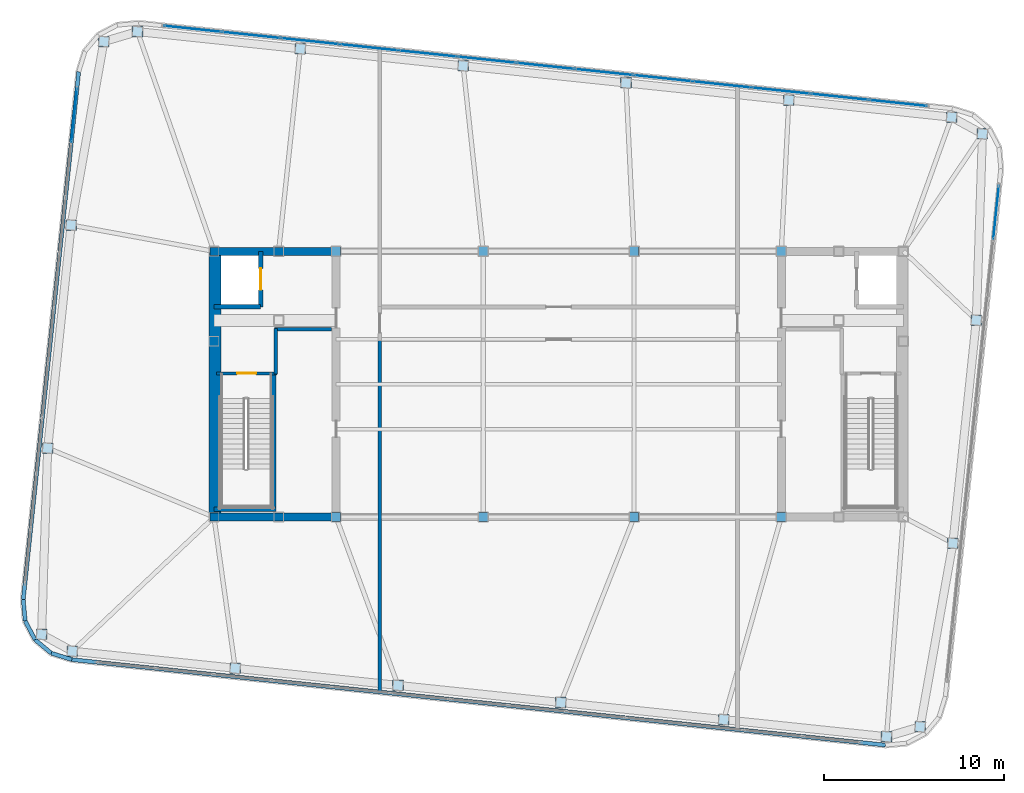
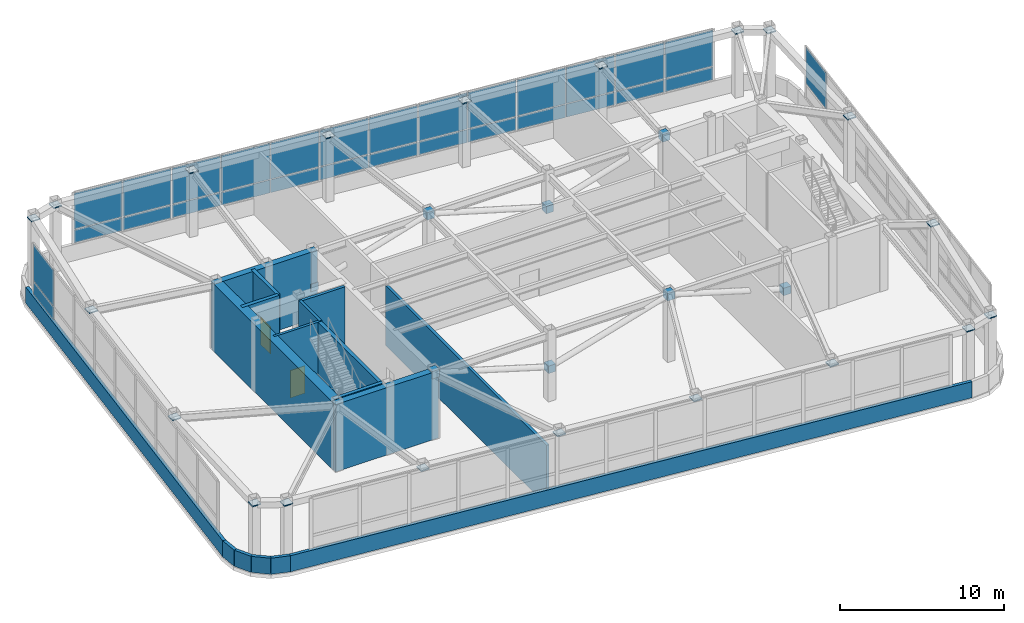
# One storey, part 19 of 23: 57 plates, 17 walls, 2 doors, 2 openings, 3 elements without a shape of their own.
"""IFC4 building model written with IfcOpenShell, lengths in metres."""

from ifc_helpers import new_model, si_unit, direction, frame, frame_2d, origin, origin_2d, place, context, subcontext, project, spatial, rectangle, extrude, material, layer, layer_set, type_object, element, fill, aggregate, save


model = new_model("IFC4")

# Units and contexts
model_context = context("Model", 3, precision=1e-05, world=origin(), true_north=direction((0.0, 1.0)))
body_context = subcontext(model_context, "Body", "Model", "MODEL_VIEW")
ifc_project = project(units=[si_unit("LENGTHUNIT", "METRE"), si_unit("AREAUNIT", "SQUARE_METRE"), si_unit("VOLUMEUNIT", "CUBIC_METRE"), si_unit("PLANEANGLEUNIT", "RADIAN"), si_unit("MASSUNIT", "GRAM", prefix="KILO")], contexts=[model_context])

# Site, building, storey
site_placement = place(None, origin())
site = spatial("IfcSite", under=ifc_project, at=site_placement, CompositionType="ELEMENT")
building_placement = place(site_placement, origin())
building = spatial("IfcBuilding", under=site, at=building_placement, Name="Voryun Gate Residences", CompositionType="ELEMENT")
storey_placement = place(building_placement, frame((0.0, 0.0, 321.300048828125)))
storey = spatial("IfcBuildingStorey", under=building, at=storey_placement, Name="L79", CompositionType="ELEMENT", Elevation=321.300048828125)

# Plates
ifc_material_1 = material(Name="Steel SM355", Category="steel")
ifc_layer_1 = layer(ifc_material_1, 0.02490234375, Name="PLT_END_CAP_25")
ifc_layer_set_1 = layer_set([ifc_layer_1], Name="Steel SM355")
plate_type_1 = type_object("IfcPlateType", Name="PLT_END_CAP_25", PredefinedType="USERDEFINED", material=ifc_layer_set_1)
for number, where, z_axis, x_axis, name in (
    (1, (-27.088623046875, -14.87158203125, 4.760009765625), (0.0, 0.0, 1.0), (1.0, 0.0, 0.0), "L79 Hollow Member End-Cap Plate EC-991"),
    (2, (-18.0185546875, -15.824951171875, 4.760009765625), (0.0, 0.0, 1.0), (1.0, 0.0, 0.0), "L79 Hollow Member End-Cap Plate EC-992"),
    (3, (-8.948486328125, -16.7783203125, 4.760009765625), (0.0, 0.0, 1.0), (1.0, 0.0, 0.0), "L79 Hollow Member End-Cap Plate EC-993"),
    (4, (0.12158203125, -17.731689453125, 4.760009765625), (0.0, 0.0, 1.0), (1.0, 0.0, 0.0), "L79 Hollow Member End-Cap Plate EC-994"),
    (5, (9.19140625, -18.684814453125, 4.760009765625), (0.0, 0.0, 1.0), (1.0, 0.0, 0.0), "L79 Hollow Member End-Cap Plate EC-995"),
    (6, (18.261474609375, -19.63818359375, 4.760009765625), (0.0, 0.0, 1.0), (1.0, 0.0, 0.0), "L79 Hollow Member End-Cap Plate EC-996"),
    (7, (20.1328125, -19.083984375, 4.760009765625), (0.0, 0.0, 1.0), (1.0, 0.0, 0.0), "L79 Hollow Member End-Cap Plate EC-997"),
    (8, (21.958251953125, -8.861572265625, 4.760009765625), (0.0, 0.0, 1.0), (1.0, 0.0, 0.0), "L79 Hollow Member End-Cap Plate EC-998"),
    (9, (23.263916015625, 3.56201171875, 4.760009765625), (0.0, 0.0, 1.0), (1.0, 0.0, 0.0), "L79 Hollow Member End-Cap Plate EC-999"),
    (10, (23.603759765625, 13.9404296875, 4.760009765625), (0.0, 0.0, 1.0), (1.0, 0.0, 0.0), "L79 Hollow Member End-Cap Plate EC-1000"),
    (11, (21.888671875, 14.87158203125, 4.760009765625), (0.0, 0.0, 1.0), (1.0, 0.0, 0.0), "L79 Hollow Member End-Cap Plate EC-1001"),
    (12, (12.818603515625, 15.824951171875, 4.760009765625), (0.0, 0.0, 1.0), (1.0, 0.0, 0.0), "L79 Hollow Member End-Cap Plate EC-1002"),
    (13, (3.74853515625, 16.7783203125, 4.760009765625), (0.0, 0.0, 1.0), (1.0, 0.0, 0.0), "L79 Hollow Member End-Cap Plate EC-1003"),
    (14, (-5.3212890625, 17.731689453125, 4.760009765625), (0.0, 0.0, 1.0), (1.0, 0.0, 0.0), "L79 Hollow Member End-Cap Plate EC-1004"),
    (15, (-14.3916015625, 18.684814453125, 4.760009765625), (0.0, 0.0, 1.0), (1.0, 0.0, 0.0), "L79 Hollow Member End-Cap Plate EC-1005"),
    (16, (-23.46142578125, 19.63818359375, 4.760009765625), (0.0, 0.0, 1.0), (1.0, 0.0, 0.0), "L79 Hollow Member End-Cap Plate EC-1006"),
    (17, (-25.332763671875, 19.083984375, 4.760009765625), (0.0, 0.0, 1.0), (1.0, 0.0, 0.0), "L79 Hollow Member End-Cap Plate EC-1007"),
    (18, (-27.158203125, 8.861572265625, 4.760009765625), (0.0, 0.0, 1.0), (1.0, 0.0, 0.0), "L79 Hollow Member End-Cap Plate EC-1008"),
    (19, (-28.464111328125, -3.56201171875, 4.760009765625), (0.0, 0.0, 1.0), (1.0, 0.0, 0.0), "L79 Hollow Member End-Cap Plate EC-1009"),
    (20, (-28.8037109375, -13.9404296875, 4.760009765625), (0.0, 0.0, 1.0), (1.0, 0.0, 0.0), "L79 Hollow Member End-Cap Plate EC-1010"),
):
    element("IfcPlate", number, at=place(storey_placement, frame(where, z_axis=z_axis, x_axis=x_axis)), inside=storey, type_object=plate_type_1, Name=name, ObjectType="BASE_PLATE", PredefinedType="USERDEFINED", context=body_context, shape_type="SweptSolid", body=[
        extrude(rectangle(XDim=0.590087890625, YDim=0.590087890625, at=origin_2d()), origin(), (0.0, 0.0, 1.0), 0.080078125),
    ])
for number, where, z_axis, x_axis, name in (
    (21, (-12.39990234375, -7.39990234375, 4.56494140625), (0.0, 0.0, 1.0), (1.0, 0.0, 0.0), "L79 Brace Node Connection Plate BN-1012"),
    (22, (12.39990234375, -7.39990234375, 2.099853515625), (0.0, 0.0, 1.0), (1.0, 0.0, 0.0), "L79 Brace Node Connection Plate BN-1014"),
    (23, (-4.199951171875, 7.39990234375, 4.56494140625), (0.0, 0.0, 1.0), (1.0, 0.0, 0.0), "L79 Brace Node Connection Plate BN-1016"),
    (24, (12.39990234375, 7.39990234375, 4.56494140625), (0.0, 0.0, 1.0), (1.0, 0.0, 0.0), "L79 Brace Node Connection Plate BN-1018"),
):
    element("IfcPlate", number, at=place(storey_placement, frame(where, z_axis=z_axis, x_axis=x_axis)), inside=storey, type_object=plate_type_1, Name=name, ObjectType="BASE_PLATE", PredefinedType="USERDEFINED", context=body_context, shape_type="SweptSolid", body=[
        extrude(rectangle(XDim=0.52001953125, YDim=0.52001953125, at=origin_2d()), origin(), (0.0, 0.0, 1.0), 0.56005859375),
    ])

# Curtain wall, plates
ifc_material_2 = material(Name="Anodised aluminium", Category="aluminium")
ifc_layer_2 = layer(ifc_material_2, 0.22998046875, Name="CW_SYS_LANTERN_DARK_GLASS")
ifc_layer_set_2 = layer_set([ifc_layer_2], Name="Anodised aluminium")
curtain_wall_type = type_object("IfcCurtainWallType", Name="CW_SYS_LANTERN_DARK_GLASS", PredefinedType="NOTDEFINED", material=ifc_layer_set_2)
curtain_wall_1_placement = place(storey_placement, origin())
curtain_wall_1 = element("IfcCurtainWall", 25, at=curtain_wall_1_placement, inside=storey, type_object=curtain_wall_type, Name="Curtain wall CW6-L79-06", PredefinedType="NOTDEFINED")
ifc_material_3 = material(Name="Fritted lantern glass", Category="glass")
ifc_layer_3 = layer(ifc_material_3, 0.050048828125, Name="PLT_GLASS_FRIT_LANTERN")
ifc_layer_set_3 = layer_set([ifc_layer_3], Name="Fritted lantern glass")
plate_type_2 = type_object("IfcPlateType", Name="PLT_GLASS_FRIT_LANTERN", PredefinedType="CURTAIN_PANEL", material=ifc_layer_set_3)
plate_1_placement = place(storey_placement, frame((-26.989013671875, 14.9677734375, 1.25), z_axis=(0.0, 0.0, 1.0), x_axis=(0.104528004296, 0.994521943608, 0.0)))
plate_1 = element("IfcPlate", 26, at=plate_1_placement, type_object=plate_type_2, Name="CW6 panel 9.1", PredefinedType="CURTAIN_PANEL", context=body_context, shape_type="SweptSolid", body=[
    extrude(rectangle(XDim=2.997802734375, YDim=0.028076171875, at=origin_2d()), origin(), (0.0, 0.0, 1.0), 0.9599609375),
])
plate_2_placement = place(storey_placement, frame((-26.989013671875, 14.9677734375, 2.27001953125), z_axis=(0.0, 0.0, 1.0), x_axis=(0.104528004296, 0.994521943608, 0.0)))
plate_2 = element("IfcPlate", 27, at=plate_2_placement, type_object=plate_type_2, Name="CW6 panel 9.2", PredefinedType="CURTAIN_PANEL", context=body_context, shape_type="SweptSolid", body=[
    extrude(rectangle(XDim=2.997802734375, YDim=0.028076171875, at=origin_2d()), origin(), (0.0, 0.0, 1.0), 2.695068359375),
])
aggregate(curtain_wall_1, [plate_1, plate_2])

curtain_wall_2_placement = place(storey_placement, origin())
curtain_wall_2 = element("IfcCurtainWall", 28, at=curtain_wall_2_placement, inside=storey, type_object=curtain_wall_type, Name="Curtain wall CW6-L79-11", PredefinedType="NOTDEFINED")
plate_3_placement = place(storey_placement, frame((-20.382080078125, 19.787109375, 1.25), z_axis=(0.0, 0.0, 1.0), x_axis=(0.994521969434, -0.10452775858, 0.0)))
plate_3 = element("IfcPlate", 29, at=plate_3_placement, type_object=plate_type_2, Name="CW6 panel 1.1", PredefinedType="CURTAIN_PANEL", context=body_context, shape_type="SweptSolid", body=[
    extrude(rectangle(XDim=3.20458984375, YDim=0.028076171875, at=origin_2d()), origin(), (0.0, 0.0, 1.0), 0.9599609375),
])
plate_4_placement = place(storey_placement, frame((-20.382080078125, 19.787109375, 2.27001953125), z_axis=(0.0, 0.0, 1.0), x_axis=(0.994521969434, -0.10452775858, 0.0)))
plate_4 = element("IfcPlate", 30, at=plate_4_placement, type_object=plate_type_2, Name="CW6 panel 1.2", PredefinedType="CURTAIN_PANEL", context=body_context, shape_type="SweptSolid", body=[
    extrude(rectangle(XDim=3.20458984375, YDim=0.028076171875, at=origin_2d()), origin(), (0.0, 0.0, 1.0), 2.695068359375),
])
plate_5_placement = place(storey_placement, frame((-17.120361328125, 19.4443359375, 1.25), z_axis=(0.0, 0.0, 1.0), x_axis=(0.994521969434, -0.10452775858, 0.0)))
plate_5 = element("IfcPlate", 31, at=plate_5_placement, type_object=plate_type_2, Name="CW6 panel 2.1", PredefinedType="CURTAIN_PANEL", context=body_context, shape_type="SweptSolid", body=[
    extrude(rectangle(XDim=3.234619140625, YDim=0.028076171875, at=origin_2d()), origin(), (0.0, 0.0, 1.0), 0.9599609375),
])
plate_6_placement = place(storey_placement, frame((-17.120361328125, 19.4443359375, 2.27001953125), z_axis=(0.0, 0.0, 1.0), x_axis=(0.994521969434, -0.10452775858, 0.0)))
plate_6 = element("IfcPlate", 32, at=plate_6_placement, type_object=plate_type_2, Name="CW6 panel 2.2", PredefinedType="CURTAIN_PANEL", context=body_context, shape_type="SweptSolid", body=[
    extrude(rectangle(XDim=3.234619140625, YDim=0.028076171875, at=origin_2d()), origin(), (0.0, 0.0, 1.0), 2.695068359375),
])
plate_7_placement = place(storey_placement, frame((-13.84375, 19.099853515625, 1.25), z_axis=(0.0, 0.0, 1.0), x_axis=(0.994521969434, -0.10452775858, 0.0)))
plate_7 = element("IfcPlate", 33, at=plate_7_placement, type_object=plate_type_2, Name="CW6 panel 3.1", PredefinedType="CURTAIN_PANEL", context=body_context, shape_type="SweptSolid", body=[
    extrude(rectangle(XDim=3.234619140625, YDim=0.028076171875, at=origin_2d()), origin(), (0.0, 0.0, 1.0), 0.9599609375),
])
plate_8_placement = place(storey_placement, frame((-13.84375, 19.099853515625, 2.27001953125), z_axis=(0.0, 0.0, 1.0), x_axis=(0.994521969434, -0.10452775858, 0.0)))
plate_8 = element("IfcPlate", 34, at=plate_8_placement, type_object=plate_type_2, Name="CW6 panel 3.2", PredefinedType="CURTAIN_PANEL", context=body_context, shape_type="SweptSolid", body=[
    extrude(rectangle(XDim=3.234619140625, YDim=0.028076171875, at=origin_2d()), origin(), (0.0, 0.0, 1.0), 2.695068359375),
])
plate_9_placement = place(storey_placement, frame((-10.567138671875, 18.755615234375, 1.25), z_axis=(0.0, 0.0, 1.0), x_axis=(0.994521969434, -0.10452775858, 0.0)))
plate_9 = element("IfcPlate", 35, at=plate_9_placement, type_object=plate_type_2, Name="CW6 panel 4.1", PredefinedType="CURTAIN_PANEL", context=body_context, shape_type="SweptSolid", body=[
    extrude(rectangle(XDim=3.234619140625, YDim=0.028076171875, at=origin_2d()), origin(), (0.0, 0.0, 1.0), 0.9599609375),
])
plate_10_placement = place(storey_placement, frame((-10.567138671875, 18.755615234375, 2.27001953125), z_axis=(0.0, 0.0, 1.0), x_axis=(0.994521969434, -0.10452775858, 0.0)))
plate_10 = element("IfcPlate", 36, at=plate_10_placement, type_object=plate_type_2, Name="CW6 panel 4.2", PredefinedType="CURTAIN_PANEL", context=body_context, shape_type="SweptSolid", body=[
    extrude(rectangle(XDim=3.234619140625, YDim=0.028076171875, at=origin_2d()), origin(), (0.0, 0.0, 1.0), 2.695068359375),
])
plate_11_placement = place(storey_placement, frame((-7.29052734375, 18.4111328125, 1.25), z_axis=(0.0, 0.0, 1.0), x_axis=(0.994521969434, -0.10452775858, 0.0)))
plate_11 = element("IfcPlate", 37, at=plate_11_placement, type_object=plate_type_2, Name="CW6 panel 5.1", PredefinedType="CURTAIN_PANEL", context=body_context, shape_type="SweptSolid", body=[
    extrude(rectangle(XDim=3.234619140625, YDim=0.028076171875, at=origin_2d()), origin(), (0.0, 0.0, 1.0), 0.9599609375),
])
plate_12_placement = place(storey_placement, frame((-7.29052734375, 18.4111328125, 2.27001953125), z_axis=(0.0, 0.0, 1.0), x_axis=(0.994521969434, -0.10452775858, 0.0)))
plate_12 = element("IfcPlate", 38, at=plate_12_placement, type_object=plate_type_2, Name="CW6 panel 5.2", PredefinedType="CURTAIN_PANEL", context=body_context, shape_type="SweptSolid", body=[
    extrude(rectangle(XDim=3.234619140625, YDim=0.028076171875, at=origin_2d()), origin(), (0.0, 0.0, 1.0), 2.695068359375),
])
plate_13_placement = place(storey_placement, frame((-4.013916015625, 18.06689453125, 1.25), z_axis=(0.0, 0.0, 1.0), x_axis=(0.994521969434, -0.10452775858, 0.0)))
plate_13 = element("IfcPlate", 39, at=plate_13_placement, type_object=plate_type_2, Name="CW6 panel 6.1", PredefinedType="CURTAIN_PANEL", context=body_context, shape_type="SweptSolid", body=[
    extrude(rectangle(XDim=3.234619140625, YDim=0.028076171875, at=origin_2d()), origin(), (0.0, 0.0, 1.0), 0.9599609375),
])
plate_14_placement = place(storey_placement, frame((-4.013916015625, 18.06689453125, 2.27001953125), z_axis=(0.0, 0.0, 1.0), x_axis=(0.994521969434, -0.10452775858, 0.0)))
plate_14 = element("IfcPlate", 40, at=plate_14_placement, type_object=plate_type_2, Name="CW6 panel 6.2", PredefinedType="CURTAIN_PANEL", context=body_context, shape_type="SweptSolid", body=[
    extrude(rectangle(XDim=3.234619140625, YDim=0.028076171875, at=origin_2d()), origin(), (0.0, 0.0, 1.0), 2.695068359375),
])
plate_15_placement = place(storey_placement, frame((-0.7373046875, 17.722412109375, 1.25), z_axis=(0.0, 0.0, 1.0), x_axis=(0.994521969434, -0.10452775858, 0.0)))
plate_15 = element("IfcPlate", 41, at=plate_15_placement, type_object=plate_type_2, Name="CW6 panel 7.1", PredefinedType="CURTAIN_PANEL", context=body_context, shape_type="SweptSolid", body=[
    extrude(rectangle(XDim=3.234619140625, YDim=0.028076171875, at=origin_2d()), origin(), (0.0, 0.0, 1.0), 0.9599609375),
])
plate_16_placement = place(storey_placement, frame((-0.7373046875, 17.722412109375, 2.27001953125), z_axis=(0.0, 0.0, 1.0), x_axis=(0.994521969434, -0.10452775858, 0.0)))
plate_16 = element("IfcPlate", 42, at=plate_16_placement, type_object=plate_type_2, Name="CW6 panel 7.2", PredefinedType="CURTAIN_PANEL", context=body_context, shape_type="SweptSolid", body=[
    extrude(rectangle(XDim=3.234619140625, YDim=0.028076171875, at=origin_2d()), origin(), (0.0, 0.0, 1.0), 2.695068359375),
])
plate_17_placement = place(storey_placement, frame((2.539306640625, 17.3779296875, 1.25), z_axis=(0.0, 0.0, 1.0), x_axis=(0.994521969434, -0.10452775858, 0.0)))
plate_17 = element("IfcPlate", 43, at=plate_17_placement, type_object=plate_type_2, Name="CW6 panel 8.1", PredefinedType="CURTAIN_PANEL", context=body_context, shape_type="SweptSolid", body=[
    extrude(rectangle(XDim=3.234619140625, YDim=0.028076171875, at=origin_2d()), origin(), (0.0, 0.0, 1.0), 0.9599609375),
])
plate_18_placement = place(storey_placement, frame((2.539306640625, 17.3779296875, 2.27001953125), z_axis=(0.0, 0.0, 1.0), x_axis=(0.994521969434, -0.10452775858, 0.0)))
plate_18 = element("IfcPlate", 44, at=plate_18_placement, type_object=plate_type_2, Name="CW6 panel 8.2", PredefinedType="CURTAIN_PANEL", context=body_context, shape_type="SweptSolid", body=[
    extrude(rectangle(XDim=3.234619140625, YDim=0.028076171875, at=origin_2d()), origin(), (0.0, 0.0, 1.0), 2.695068359375),
])
plate_19_placement = place(storey_placement, frame((5.81591796875, 17.03369140625, 1.25), z_axis=(0.0, 0.0, 1.0), x_axis=(0.994521969434, -0.10452775858, 0.0)))
plate_19 = element("IfcPlate", 45, at=plate_19_placement, type_object=plate_type_2, Name="CW6 panel 9.1", PredefinedType="CURTAIN_PANEL", context=body_context, shape_type="SweptSolid", body=[
    extrude(rectangle(XDim=3.234619140625, YDim=0.028076171875, at=origin_2d()), origin(), (0.0, 0.0, 1.0), 0.9599609375),
])
plate_20_placement = place(storey_placement, frame((5.81591796875, 17.03369140625, 2.27001953125), z_axis=(0.0, 0.0, 1.0), x_axis=(0.994521969434, -0.10452775858, 0.0)))
plate_20 = element("IfcPlate", 46, at=plate_20_placement, type_object=plate_type_2, Name="CW6 panel 9.2", PredefinedType="CURTAIN_PANEL", context=body_context, shape_type="SweptSolid", body=[
    extrude(rectangle(XDim=3.234619140625, YDim=0.028076171875, at=origin_2d()), origin(), (0.0, 0.0, 1.0), 2.695068359375),
])
plate_21_placement = place(storey_placement, frame((9.092529296875, 16.689208984375, 1.25), z_axis=(0.0, 0.0, 1.0), x_axis=(0.994521969434, -0.10452775858, 0.0)))
plate_21 = element("IfcPlate", 47, at=plate_21_placement, type_object=plate_type_2, Name="CW6 panel 10.1", PredefinedType="CURTAIN_PANEL", context=body_context, shape_type="SweptSolid", body=[
    extrude(rectangle(XDim=3.234619140625, YDim=0.028076171875, at=origin_2d()), origin(), (0.0, 0.0, 1.0), 0.9599609375),
])
plate_22_placement = place(storey_placement, frame((9.092529296875, 16.689208984375, 2.27001953125), z_axis=(0.0, 0.0, 1.0), x_axis=(0.994521969434, -0.10452775858, 0.0)))
plate_22 = element("IfcPlate", 48, at=plate_22_placement, type_object=plate_type_2, Name="CW6 panel 10.2", PredefinedType="CURTAIN_PANEL", context=body_context, shape_type="SweptSolid", body=[
    extrude(rectangle(XDim=3.234619140625, YDim=0.028076171875, at=origin_2d()), origin(), (0.0, 0.0, 1.0), 2.695068359375),
])
plate_23_placement = place(storey_placement, frame((12.369140625, 16.344970703125, 1.25), z_axis=(0.0, 0.0, 1.0), x_axis=(0.994521969434, -0.10452775858, 0.0)))
plate_23 = element("IfcPlate", 49, at=plate_23_placement, type_object=plate_type_2, Name="CW6 panel 11.1", PredefinedType="CURTAIN_PANEL", context=body_context, shape_type="SweptSolid", body=[
    extrude(rectangle(XDim=3.234619140625, YDim=0.028076171875, at=origin_2d()), origin(), (0.0, 0.0, 1.0), 0.9599609375),
])
plate_24_placement = place(storey_placement, frame((12.369140625, 16.344970703125, 2.27001953125), z_axis=(0.0, 0.0, 1.0), x_axis=(0.994521969434, -0.10452775858, 0.0)))
plate_24 = element("IfcPlate", 50, at=plate_24_placement, type_object=plate_type_2, Name="CW6 panel 11.2", PredefinedType="CURTAIN_PANEL", context=body_context, shape_type="SweptSolid", body=[
    extrude(rectangle(XDim=3.234619140625, YDim=0.028076171875, at=origin_2d()), origin(), (0.0, 0.0, 1.0), 2.695068359375),
])
plate_25_placement = place(storey_placement, frame((15.645751953125, 16.00048828125, 1.25), z_axis=(0.0, 0.0, 1.0), x_axis=(0.994521969434, -0.10452775858, 0.0)))
plate_25 = element("IfcPlate", 51, at=plate_25_placement, type_object=plate_type_2, Name="CW6 panel 12.1", PredefinedType="CURTAIN_PANEL", context=body_context, shape_type="SweptSolid", body=[
    extrude(rectangle(XDim=3.234619140625, YDim=0.028076171875, at=origin_2d()), origin(), (0.0, 0.0, 1.0), 0.9599609375),
])
plate_26_placement = place(storey_placement, frame((15.645751953125, 16.00048828125, 2.27001953125), z_axis=(0.0, 0.0, 1.0), x_axis=(0.994521969434, -0.10452775858, 0.0)))
plate_26 = element("IfcPlate", 52, at=plate_26_placement, type_object=plate_type_2, Name="CW6 panel 12.2", PredefinedType="CURTAIN_PANEL", context=body_context, shape_type="SweptSolid", body=[
    extrude(rectangle(XDim=3.234619140625, YDim=0.028076171875, at=origin_2d()), origin(), (0.0, 0.0, 1.0), 2.695068359375),
])
plate_27_placement = place(storey_placement, frame((18.907470703125, 15.65771484375, 1.25), z_axis=(0.0, 0.0, 1.0), x_axis=(0.994521969434, -0.10452775858, 0.0)))
plate_27 = element("IfcPlate", 53, at=plate_27_placement, type_object=plate_type_2, Name="CW6 panel 13.1", PredefinedType="CURTAIN_PANEL", context=body_context, shape_type="SweptSolid", body=[
    extrude(rectangle(XDim=3.20458984375, YDim=0.028076171875, at=origin_2d()), origin(), (0.0, 0.0, 1.0), 0.9599609375),
])
plate_28_placement = place(storey_placement, frame((18.907470703125, 15.65771484375, 2.27001953125), z_axis=(0.0, 0.0, 1.0), x_axis=(0.994521969434, -0.10452775858, 0.0)))
plate_28 = element("IfcPlate", 54, at=plate_28_placement, type_object=plate_type_2, Name="CW6 panel 13.2", PredefinedType="CURTAIN_PANEL", context=body_context, shape_type="SweptSolid", body=[
    extrude(rectangle(XDim=3.20458984375, YDim=0.028076171875, at=origin_2d()), origin(), (0.0, 0.0, 1.0), 2.695068359375),
])
aggregate(curtain_wall_2, [plate_3, plate_4, plate_5, plate_6, plate_7, plate_8, plate_9, plate_10, plate_11, plate_12, plate_13, plate_14, plate_15, plate_16, plate_17, plate_18, plate_19, plate_20, plate_21, plate_22, plate_23, plate_24, plate_25, plate_26, plate_27, plate_28])

# Curtain wall, plate
curtain_wall_3_placement = place(storey_placement, origin())
curtain_wall_3 = element("IfcCurtainWall", 55, at=curtain_wall_3_placement, inside=storey, type_object=curtain_wall_type, Name="Curtain wall CW6-L79-16", PredefinedType="NOTDEFINED")
plate_29_placement = place(storey_placement, frame((24.3681640625, 9.56982421875, 2.27001953125), z_axis=(0.0, 0.0, 1.0), x_axis=(-0.104528004296, -0.994521943608, 0.0)))
plate_29 = element("IfcPlate", 56, at=plate_29_placement, type_object=plate_type_2, Name="CW6 panel 1.2", PredefinedType="CURTAIN_PANEL", context=body_context, shape_type="SweptSolid", body=[
    extrude(rectangle(XDim=2.997802734375, YDim=0.028076171875, at=origin_2d()), origin(), (0.0, 0.0, 1.0), 2.695068359375),
])
aggregate(curtain_wall_3, [plate_29])

# Plates
ifc_material_4 = material(Name="Steel SM420", Category="steel")
ifc_layer_4 = layer(ifc_material_4, 0.035888671875, Name="PLT_OUTRIGGER_GUSSET_36")
ifc_layer_set_4 = layer_set([ifc_layer_4], Name="Steel SM420")
plate_type_3 = type_object("IfcPlateType", Name="PLT_OUTRIGGER_GUSSET_36", PredefinedType="USERDEFINED", material=ifc_layer_set_4)
for number, where, z_axis, x_axis, name in (
    (57, (-4.199951171875, -7.39990234375, 2.099853515625), (0.0, 0.0, 1.0), (1.0, 0.0, 0.0), "L79 Brace Node Connection Plate BN-1011"),
    (58, (4.199951171875, -7.39990234375, 4.56494140625), (0.0, 0.0, 1.0), (1.0, 0.0, 0.0), "L79 Brace Node Connection Plate BN-1013"),
    (59, (-12.39990234375, 7.39990234375, 2.099853515625), (0.0, 0.0, 1.0), (1.0, 0.0, 0.0), "L79 Brace Node Connection Plate BN-1015"),
    (60, (4.199951171875, 7.39990234375, 2.099853515625), (0.0, 0.0, 1.0), (1.0, 0.0, 0.0), "L79 Brace Node Connection Plate BN-1017"),
):
    element("IfcPlate", number, at=place(storey_placement, frame(where, z_axis=z_axis, x_axis=x_axis)), inside=storey, type_object=plate_type_3, Name=name, ObjectType="GUSSET_PLATE", PredefinedType="USERDEFINED", context=body_context, shape_type="SweptSolid", body=[
        extrude(rectangle(XDim=0.52001953125, YDim=0.52001953125, at=origin_2d()), origin(), (0.0, 0.0, 1.0), 0.56005859375),
    ])

# Walls
ifc_material_5 = material(Name="Concrete C50/60", Category="concrete")
ifc_layer_5 = layer(ifc_material_5, 0.449951171875, Name="CW_CORE_450")
ifc_layer_set_5 = layer_set([ifc_layer_5], Name="Concrete C50/60")
wall_type_1 = type_object("IfcWallType", Name="CW_CORE_450", PredefinedType="SHEAR", material=ifc_layer_set_5)
for number, where, z_axis, x_axis, name in (
    (61, (-19.425048828125, -7.39990234375, 0.0), (0.0, 0.0, 1.0), (1.0, 0.0, 0.0), "L79 Core shear wall CW-L79-WS"),
    (62, (-19.425048828125, 7.39990234375, 0.0), (0.0, 0.0, 1.0), (1.0, 0.0, 0.0), "L79 Core shear wall CW-L79-WN"),
):
    element("IfcWall", number, at=place(storey_placement, frame(where, z_axis=z_axis, x_axis=x_axis)), inside=storey, type_object=wall_type_1, Name=name, PredefinedType="SHEAR", context=body_context, shape_type="SweptSolid", body=[
        extrude(rectangle(XDim=7.25, YDim=0.449951171875, at=frame_2d((3.625, 0.0))), origin(), (0.0, 0.0, 1.0), 5.02490234375),
    ])
ifc_material_6 = material(Name="Concrete C60/75", Category="concrete")
ifc_layer_6 = layer(ifc_material_6, 0.64990234375, Name="CW_CORE_650")
ifc_layer_set_6 = layer_set([ifc_layer_6], Name="Concrete C60/75")
wall_type_2 = type_object("IfcWallType", Name="CW_CORE_650", PredefinedType="SHEAR", material=ifc_layer_set_6)
wall_1_placement = place(storey_placement, frame((-19.14501953125, -7.39990234375, 0.0), z_axis=(0.0, 0.0, 1.0), x_axis=(0.0, 1.0, 0.0)))
element("IfcWall", 63, at=wall_1_placement, inside=storey, type_object=wall_type_2, Name="L79 Core shear wall CW-L79-WW", PredefinedType="SHEAR", context=body_context, shape_type="SweptSolid", body=[
    extrude(rectangle(XDim=14.7998046875, YDim=0.64990234375, at=frame_2d((7.39990234375, 0.0))), origin(), (0.0, 0.0, 1.0), 5.02490234375),
])

# Wall, opening, door
ifc_material_7 = material(Name="Gypsum acoustic fireboard")
ifc_layer_7 = layer(ifc_material_7, 0.179931640625, Name="W_CORR_RATED_180")
ifc_layer_set_7 = layer_set([ifc_layer_7], Name="Gypsum acoustic fireboard")
wall_type_3 = type_object("IfcWallType", Name="W_CORR_RATED_180", PredefinedType="PARTITIONING", material=ifc_layer_set_7)
wall_2_placement = place(storey_placement, frame((-19.06005859375, 0.60009765625, 0.0), z_axis=(0.0, 0.0, 1.0), x_axis=(1.0, 0.0, 0.0)))
wall_2 = element("IfcWall", 64, at=wall_2_placement, inside=storey, type_object=wall_type_3, Name="Partition wall WP-L79-STV-W", PredefinedType="PARTITIONING", context=body_context, shape_type="SweptSolid", body=[
    extrude(rectangle(XDim=3.360107421875, YDim=0.179931640625, at=frame_2d((1.68017578125, 0.0))), origin(), (0.0, 0.0, 1.0), 5.02490234375),
])
opening_1_placement = place(wall_2_placement, frame((1.155029296875, 0.0, 0.0)))
opening_1 = element("IfcOpeningElement", 65, at=opening_1_placement, cuts=wall_2, Name="Opening D-FD60-1", PredefinedType="OPENING", context=body_context, shape_type="SweptSolid", body=[
    extrude(rectangle(XDim=1.050048828125, YDim=2.050048828125, at=frame_2d((0.52490234375, 1.02490234375))), frame((0.0, 0.099853515625, 0.0), z_axis=(0.0, -1.0, 0.0), x_axis=(1.0, 0.0, 0.0)), (0.0, 0.0, 1.0), 0.199951171875),
])
ifc_material_8 = material(Name="Painted steel fire door", Category="steel")
door_type_1 = type_object("IfcDoorType", Name="DR_FD60_STAIR_1050", OperationType="NOTDEFINED", PredefinedType="DOOR", material=ifc_material_8)
door_1_placement = place(opening_1_placement, origin())
door_1 = element("IfcDoor", 66, at=door_1_placement, inside=storey, type_object=door_type_1, Name="Door DR-L79-ST-W", OperationType="SINGLE_SWING_LEFT", OverallHeight=2.050048828125, OverallWidth=1.050048828125, PredefinedType="DOOR", context=body_context, shape_type="SweptSolid", body=[
    extrude(rectangle(XDim=1.050048828125, YDim=2.050048828125, at=frame_2d((0.52490234375, 1.02490234375))), frame((0.0, 0.02490234375, 0.0), z_axis=(0.0, -1.0, 0.0), x_axis=(1.0, 0.0, 0.0)), (0.0, 0.0, 1.0), 0.050048828125),
])
fill(opening_1, door_1)

# Walls
ifc_material_9 = material(Name="Concrete C40/50", Category="concrete")
ifc_layer_8 = layer(ifc_material_9, 0.199951171875, Name="W_FF_LOBBY_200")
ifc_layer_set_8 = layer_set([ifc_layer_8], Name="Concrete C40/50")
wall_type_4 = type_object("IfcWallType", Name="W_FF_LOBBY_200", PredefinedType="PARTITIONING", material=ifc_layer_set_8)
wall_3_placement = place(storey_placement, frame((-15.760009765625, 0.580078125, 0.0), z_axis=(0.0, 0.0, 1.0), x_axis=(0.0, 1.0, 0.0)))
element("IfcWall", 67, at=wall_3_placement, inside=storey, type_object=wall_type_4, Name="Partition wall WP-L79-FFP0-W", PredefinedType="PARTITIONING", context=body_context, shape_type="SweptSolid", body=[
    extrude(rectangle(XDim=2.52001953125, YDim=0.199951171875, at=frame_2d((1.260009765625, 0.0))), origin(), (0.0, 0.0, 1.0), 5.02490234375),
])
wall_4_placement = place(storey_placement, frame((-15.820068359375, 3.06005859375, 0.0), z_axis=(0.0, 0.0, 1.0), x_axis=(1.0, 0.0, 0.0)))
element("IfcWall", 68, at=wall_4_placement, inside=storey, type_object=wall_type_4, Name="Partition wall WP-L79-FFPS-W", PredefinedType="PARTITIONING", context=body_context, shape_type="SweptSolid", body=[
    extrude(rectangle(XDim=3.16015625, YDim=0.199951171875, at=frame_2d((1.580078125, 0.0))), origin(), (0.0, 0.0, 1.0), 5.02490234375),
])
wall_5_placement = place(storey_placement, frame((-9.9599609375, -17.12451171875, 0.0), z_axis=(0.0, 0.0, 1.0), x_axis=(0.0, 1.0, 0.0)))
element("IfcWall", 69, at=wall_5_placement, inside=storey, type_object=wall_type_4, Name="Partition wall WP-L79-CW1", PredefinedType="PARTITIONING", context=body_context, shape_type="SweptSolid", body=[
    extrude(rectangle(XDim=19.62451171875, YDim=0.199951171875, at=frame_2d((9.812255859375, 0.0))), origin(), (0.0, 0.0, 1.0), 4.46484375),
])
ifc_material_10 = material(Name="Precast concrete C40/50", Category="concrete")
ifc_layer_9 = layer(ifc_material_10, 0.219970703125, Name="W_PARAPET_CURB_220")
ifc_layer_set_9 = layer_set([ifc_layer_9], Name="Precast concrete C40/50")
wall_type_5 = type_object("IfcWallType", Name="W_PARAPET_CURB_220", PredefinedType="PARAPET", material=ifc_layer_set_9)
wall_6_placement = place(storey_placement, frame((18.19482421875, -20.103759765625, 0.0), z_axis=(0.0, 0.0, 1.0), x_axis=(-0.994522116558, 0.104526358762, 0.0)))
element("IfcWall", 70, at=wall_6_placement, inside=storey, type_object=wall_type_5, Name="Exterior wall WCRN-L79-01", PredefinedType="PARAPET", context=body_context, shape_type="SweptSolid", body=[
    extrude(rectangle(XDim=45.564453125, YDim=0.219970703125, at=frame_2d((22.7822265625, 0.0))), origin(), (0.0, 0.0, 1.0), 1.199951171875),
])
wall_7_placement = place(storey_placement, frame((-27.1201171875, -15.341064453125, 0.0), z_axis=(0.0, 0.0, 1.0), x_axis=(-0.95499831015, 0.296611239858, 0.0)))
element("IfcWall", 71, at=wall_7_placement, inside=storey, type_object=wall_type_5, Name="Exterior wall WCRN-L79-02", PredefinedType="PARAPET", context=body_context, shape_type="SweptSolid", body=[
    extrude(rectangle(XDim=1.195068359375, YDim=0.219970703125, at=frame_2d((0.59765625, 0.0))), origin(), (0.0, 0.0, 1.0), 1.199951171875),
])
wall_8_placement = place(storey_placement, frame((-28.261474609375, -14.986572265625, 0.0), z_axis=(0.0, 0.0, 1.0), x_axis=(-0.768849923601, 0.639429272852, 0.0)))
element("IfcWall", 72, at=wall_8_placement, inside=storey, type_object=wall_type_5, Name="Exterior wall WCRN-L79-03", PredefinedType="PARAPET", context=body_context, shape_type="SweptSolid", body=[
    extrude(rectangle(XDim=1.177001953125, YDim=0.219970703125, at=frame_2d((0.58837890625, 0.0))), origin(), (0.0, 0.0, 1.0), 1.199951171875),
])
wall_9_placement = place(storey_placement, frame((-29.16650390625, -14.23388671875, 0.0), z_axis=(0.0, 0.0, 1.0), x_axis=(-0.46554120999, 0.885026204019, 0.0)))
element("IfcWall", 73, at=wall_9_placement, inside=storey, type_object=wall_type_5, Name="Exterior wall WCRN-L79-04", PredefinedType="PARAPET", context=body_context, shape_type="SweptSolid", body=[
    extrude(rectangle(XDim=1.1767578125, YDim=0.219970703125, at=frame_2d((0.58837890625, 0.0))), origin(), (0.0, 0.0, 1.0), 1.199951171875),
])
wall_10_placement = place(storey_placement, frame((-29.71435546875, -13.1923828125, 0.0), z_axis=(0.0, 0.0, 1.0), x_axis=(-0.091530451467, 0.995802277791, 0.0)))
element("IfcWall", 74, at=wall_10_placement, inside=storey, type_object=wall_type_5, Name="Exterior wall WCRN-L79-05", PredefinedType="PARAPET", context=body_context, shape_type="SweptSolid", body=[
    extrude(rectangle(XDim=1.195068359375, YDim=0.219970703125, at=frame_2d((0.59765625, 0.0))), origin(), (0.0, 0.0, 1.0), 1.199951171875),
])
wall_11_placement = place(storey_placement, frame((-29.82373046875, -12.00244140625, 0.0), z_axis=(0.0, 0.0, 1.0), x_axis=(0.104528313262, 0.994521911134, 0.0)))
element("IfcWall", 75, at=wall_11_placement, inside=storey, type_object=wall_type_5, Name="Exterior wall WCRN-L79-06", PredefinedType="PARAPET", context=body_context, shape_type="SweptSolid", body=[
    extrude(rectangle(XDim=29.564453125, YDim=0.219970703125, at=frame_2d((14.7822265625, 0.0))), origin(), (0.0, 0.0, 1.0), 1.199951171875),
])
ifc_material_11 = material(Name="Concrete C50/60", Category="concrete")
ifc_layer_10 = layer(ifc_material_11, 0.25, Name="W_SHAFT_RC250")
ifc_layer_set_10 = layer_set([ifc_layer_10], Name="Concrete C50/60")
wall_type_6 = type_object("IfcWallType", Name="W_SHAFT_RC250", PredefinedType="SOLIDWALL", material=ifc_layer_set_10)
wall_12_placement = place(storey_placement, frame((-15.860107421875, -7.0849609375, 0.0), z_axis=(0.0, 0.0, 1.0), x_axis=(0.0, 1.0, 0.0)))
element("IfcWall", 76, at=wall_12_placement, inside=storey, type_object=wall_type_6, Name="L79 Stair shaft structural wall W-STR", PredefinedType="SOLIDWALL", context=body_context, shape_type="SweptSolid", body=[
    extrude(rectangle(XDim=7.68505859375, YDim=0.25, at=frame_2d((3.842529296875, 0.0))), origin(), (0.0, 0.0, 1.0), 5.02490234375),
])
wall_13_placement = place(storey_placement, frame((-19.199951171875, -6.965087890625, 0.0), z_axis=(0.0, 0.0, 1.0), x_axis=(1.0, 0.0, 0.0)))
element("IfcWall", 77, at=wall_13_placement, inside=storey, type_object=wall_type_6, Name="L79 Stair shaft structural wall W-STS", PredefinedType="SOLIDWALL", context=body_context, shape_type="SweptSolid", body=[
    extrude(rectangle(XDim=3.4599609375, YDim=0.25, at=frame_2d((1.72998046875, 0.0))), origin(), (0.0, 0.0, 1.0), 5.02490234375),
])
wall_14_placement = place(storey_placement, frame((-19.199951171875, 4.300048828125, 0.0), z_axis=(0.0, 0.0, 1.0), x_axis=(1.0, 0.0, 0.0)))
element("IfcWall", 78, at=wall_14_placement, inside=storey, type_object=wall_type_6, Name="Lift shaft wall WSH-L79-EL-FF-W1-S", PredefinedType="SOLIDWALL", context=body_context, shape_type="SweptSolid", body=[
    extrude(rectangle(XDim=2.599853515625, YDim=0.25, at=frame_2d((1.2998046875, 0.0))), origin(), (0.0, 0.0, 1.0), 5.02490234375),
])

# Wall, opening, door
wall_15_placement = place(storey_placement, frame((-16.60009765625, 4.300048828125, 0.0), z_axis=(0.0, 0.0, 1.0), x_axis=(0.0, 1.0, 0.0)))
wall_15 = element("IfcWall", 79, at=wall_15_placement, inside=storey, type_object=wall_type_6, Name="Lift shaft wall WSH-L79-EL-FF-W1-E", PredefinedType="SOLIDWALL", context=body_context, shape_type="SweptSolid", body=[
    extrude(rectangle(XDim=3.099853515625, YDim=0.25, at=frame_2d((1.5498046875, 0.0))), origin(), (0.0, 0.0, 1.0), 5.02490234375),
])
opening_2_placement = place(wall_15_placement, frame((0.949951171875, 0.0, 0.0)))
opening_2 = element("IfcOpeningElement", 80, at=opening_2_placement, cuts=wall_15, Name="Opening LD1", PredefinedType="OPENING", context=body_context, shape_type="SweptSolid", body=[
    extrude(rectangle(XDim=1.199951171875, YDim=2.050048828125, at=frame_2d((0.60009765625, 1.02490234375))), frame((0.0, 0.135009765625, 0.0), z_axis=(0.0, -1.0, 0.0), x_axis=(1.0, 0.0, 0.0)), (0.0, 0.0, 1.0), 0.27001953125),
])
ifc_material_12 = material(Name="Anodised aluminium", Category="aluminium")
door_type_2 = type_object("IfcDoorType", Name="DR_LD_FF_1200", OperationType="NOTDEFINED", PredefinedType="DOOR", material=ifc_material_12)
door_2_placement = place(opening_2_placement, origin())
door_2 = element("IfcDoor", 81, at=door_2_placement, inside=storey, type_object=door_type_2, Name="Lift EL-FF-W1 sliding landing door L79", OperationType="SLIDING_TO_LEFT", OverallHeight=2.050048828125, OverallWidth=1.199951171875, PredefinedType="DOOR", context=body_context, shape_type="SweptSolid", body=[
    extrude(rectangle(XDim=1.199951171875, YDim=2.050048828125, at=frame_2d((0.60009765625, 1.02490234375))), frame((0.0, 0.02490234375, 0.0), z_axis=(0.0, -1.0, 0.0), x_axis=(1.0, 0.0, 0.0)), (0.0, 0.0, 1.0), 0.050048828125),
])
fill(opening_2, door_2)

save(model, "model.ifc")
